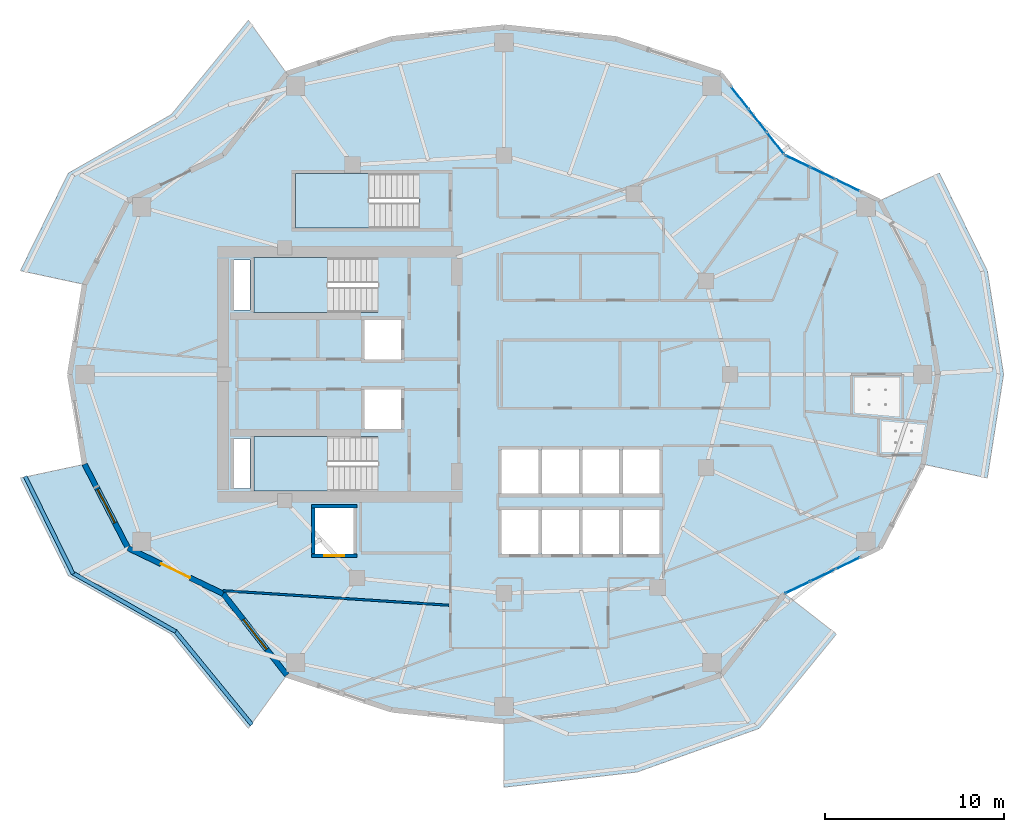
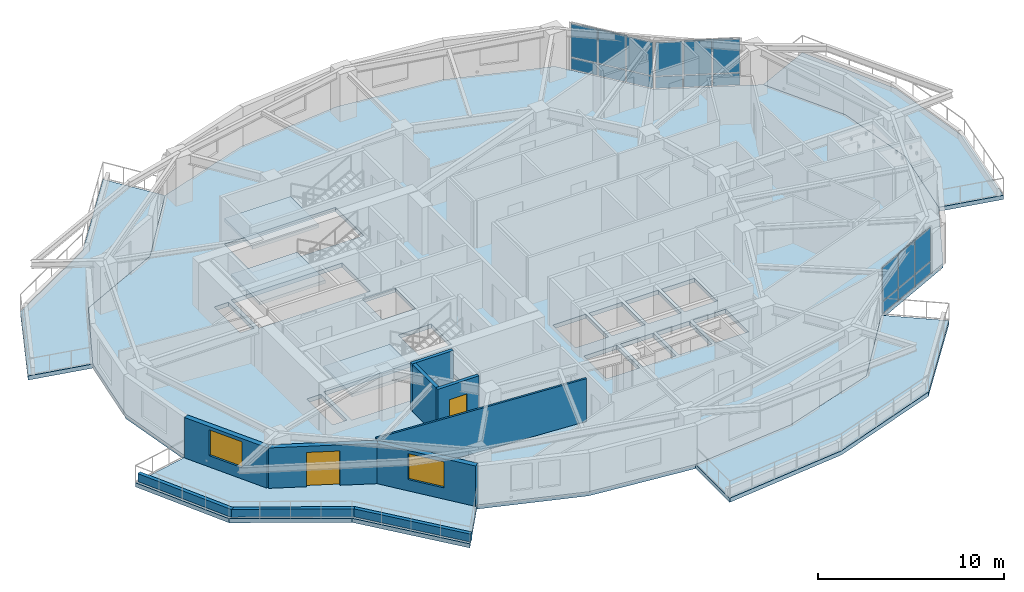
# One storey, part 5 of 15: 21 plates, 10 walls, 8 slabs, 2 doors, 2 windows, 4 openings, 6 elements without a shape of their own.
"""IFC4 building model written with IfcOpenShell, lengths in metres."""

from ifc_helpers import new_model, si_unit, direction, frame, frame_2d, origin, origin_2d, place, context, subcontext, project, spatial, polyline, rectangle, outline, extrude, material, layer, layer_set, type_object, element, fill, aggregate, save


model = new_model("IFC4")

# Units and contexts
model_context = context("Model", 3, precision=1e-05, world=origin(), true_north=direction((0.0, 1.0)))
body_context = subcontext(model_context, "Body", "Model", "MODEL_VIEW")
ifc_project = project(units=[si_unit("LENGTHUNIT", "METRE"), si_unit("AREAUNIT", "SQUARE_METRE"), si_unit("VOLUMEUNIT", "CUBIC_METRE"), si_unit("PLANEANGLEUNIT", "RADIAN"), si_unit("MASSUNIT", "GRAM", prefix="KILO")], contexts=[model_context])

# Site, building, storey
site_placement = place(None, origin())
site = spatial("IfcSite", under=ifc_project, at=site_placement, CompositionType="ELEMENT")
building_placement = place(site_placement, origin())
building = spatial("IfcBuilding", under=site, at=building_placement, Name="Kolvaren Gate Tower and Convention Centre", CompositionType="ELEMENT")
storey_placement = place(building_placement, frame((0.0, 0.0, 129.10009765625)))
storey = spatial("IfcBuildingStorey", under=building, at=storey_placement, Name="L32", CompositionType="ELEMENT", Elevation=129.10009765625)

# Plates
ifc_material_1 = material(Name="Perforated Anodized Bronze Aluminium Sheet 6 mm", Category="aluminium")
ifc_layer_1 = layer(ifc_material_1, 0.011962890625)
ifc_layer_set_1 = layer_set([ifc_layer_1], Name="Perforated Anodized Bronze Aluminium Sheet 6 mm")
plate_type_1 = type_object("IfcPlateType", Name="ARCH-PL-SCREEN-PERF", PredefinedType="SHEET", material=ifc_layer_set_1)
for number, where, z_axis, x_axis, name in (
    (1, (48.42041015625, 37.948974609375, 2.2900390625), (0.0, 0.0, 1.0), (0.901362925045, -0.433064518696, 0.0), "Tower L32 Perforated Bronze Solar Screen SS-02"),
    (2, (43.993896484375, 41.490234375, 2.2900390625), (0.0, 0.0, 1.0), (0.616424499081, -0.787414018756, 0.0), "Tower L32 Perforated Bronze Solar Screen SS-03"),
    (3, (48.42041015625, 16.051025390625, 2.2900390625), (0.0, 0.0, 1.0), (0.901362925045, 0.433064518696, 0.0), "Tower L32 Perforated Bronze Solar Screen SS-21"),
):
    element("IfcPlate", number, at=place(storey_placement, frame(where, z_axis=z_axis, x_axis=x_axis)), inside=storey, type_object=plate_type_1, Name=name, PredefinedType="SHEET", context=body_context, shape_type="SweptSolid", body=[
        extrude(rectangle(XDim=2.60009765625, YDim=0.011962890625, at=origin_2d()), origin(), (0.0, 0.0, 1.0), 0.840087890625),
    ])

# Curtain wall, plates
ifc_material_2 = material(Name="Anodized Architectural Aluminium Alloy 6063-T6", Category="aluminium")
ifc_layer_2 = layer(ifc_material_2, 0.159912109375)
ifc_layer_set_2 = layer_set([ifc_layer_2], Name="Anodized Architectural Aluminium Alloy 6063-T6")
curtain_wall_type = type_object("IfcCurtainWallType", Name="CW-HTL-UNIT", PredefinedType="NOTDEFINED", material=ifc_layer_set_2)
curtain_wall_1_placement = place(storey_placement, origin())
curtain_wall_1 = element("IfcCurtainWall", 4, at=curtain_wall_1_placement, inside=storey, type_object=curtain_wall_type, Name="Tower L32 Unitised Curtain Wall CW-HTL-UNIT Bay 02", PredefinedType="NOTDEFINED")
ifc_material_3 = material(Name="Low-E Triple Insulated Glazing Unit 44 mm", Category="glass")
ifc_layer_3 = layer(ifc_material_3, 0.0439453125)
ifc_layer_set_3 = layer_set([ifc_layer_3], Name="Low-E Triple Insulated Glazing Unit 44 mm")
plate_type_2 = type_object("IfcPlateType", Name="CW-PL-IGU-44", PredefinedType="CURTAIN_PANEL", material=ifc_layer_set_3)
plate_1_placement = place(storey_placement, frame((46.48974609375, 38.87646484375, 0.88232421875), z_axis=(0.0, 0.0, 1.0), x_axis=(0.901360043967, -0.433070515205, 0.0)))
plate_1 = element("IfcPlate", 5, at=plate_1_placement, type_object=plate_type_2, Name="CW-03 panel 1.2", PredefinedType="CURTAIN_PANEL", context=body_context, shape_type="SweptSolid", body=[
    extrude(rectangle(XDim=1.4697265625, YDim=0.0439453125, at=origin_2d()), origin(), (0.0, 0.0, 1.0), 2.1826171875),
])
plate_2_placement = place(storey_placement, frame((47.8876953125, 38.204833984375, 0.88232421875), z_axis=(0.0, 0.0, 1.0), x_axis=(0.901360043967, -0.433070515205, 0.0)))
plate_2 = element("IfcPlate", 6, at=plate_2_placement, type_object=plate_type_2, Name="CW-03 panel 2.2", PredefinedType="CURTAIN_PANEL", context=body_context, shape_type="SweptSolid", body=[
    extrude(rectangle(XDim=1.50244140625, YDim=0.0439453125, at=origin_2d()), origin(), (0.0, 0.0, 1.0), 2.1826171875),
])
plate_3_placement = place(storey_placement, frame((49.285888671875, 37.533203125, 0.88232421875), z_axis=(0.0, 0.0, 1.0), x_axis=(0.901360043967, -0.433070515205, 0.0)))
plate_3 = element("IfcPlate", 7, at=plate_3_placement, type_object=plate_type_2, Name="CW-03 panel 3.2", PredefinedType="CURTAIN_PANEL", context=body_context, shape_type="SweptSolid", body=[
    extrude(rectangle(XDim=1.4697265625, YDim=0.0439453125, at=origin_2d()), origin(), (0.0, 0.0, 1.0), 2.1826171875),
])

curtain_wall_2_placement = place(storey_placement, origin())
curtain_wall_2 = element("IfcCurtainWall", 8, at=curtain_wall_2_placement, inside=storey, type_object=curtain_wall_type, Name="Tower L32 Unitised Curtain Wall CW-HTL-UNIT Bay 03", PredefinedType="NOTDEFINED")
plate_4_placement = place(storey_placement, frame((43.2705078125, 42.414306640625, 0.88232421875), z_axis=(0.0, 0.0, 1.0), x_axis=(0.616425876414, -0.787412940513, 0.0)))
plate_4 = element("IfcPlate", 9, at=plate_4_placement, type_object=plate_type_2, Name="CW-03 panel 1.2", PredefinedType="CURTAIN_PANEL", context=body_context, shape_type="SweptSolid", body=[
    extrude(rectangle(XDim=1.530029296875, YDim=0.0439453125, at=origin_2d()), origin(), (0.0, 0.0, 1.0), 2.1826171875),
])
plate_5_placement = place(storey_placement, frame((44.263671875, 41.1455078125, 0.88232421875), z_axis=(0.0, 0.0, 1.0), x_axis=(0.616425876414, -0.787412940513, 0.0)))
plate_5 = element("IfcPlate", 10, at=plate_5_placement, type_object=plate_type_2, Name="CW-03 panel 2.2", PredefinedType="CURTAIN_PANEL", context=body_context, shape_type="SweptSolid", body=[
    extrude(rectangle(XDim=1.5625, YDim=0.0439453125, at=origin_2d()), origin(), (0.0, 0.0, 1.0), 2.1826171875),
])
plate_6_placement = place(storey_placement, frame((45.257080078125, 39.876708984375, 0.88232421875), z_axis=(0.0, 0.0, 1.0), x_axis=(0.616425876414, -0.787412940513, 0.0)))
plate_6 = element("IfcPlate", 11, at=plate_6_placement, type_object=plate_type_2, Name="CW-03 panel 3.2", PredefinedType="CURTAIN_PANEL", context=body_context, shape_type="SweptSolid", body=[
    extrude(rectangle(XDim=1.530029296875, YDim=0.0439453125, at=origin_2d()), origin(), (0.0, 0.0, 1.0), 2.1826171875),
])

curtain_wall_3_placement = place(storey_placement, origin())
curtain_wall_3 = element("IfcCurtainWall", 12, at=curtain_wall_3_placement, inside=storey, type_object=curtain_wall_type, Name="Tower L32 Unitised Curtain Wall CW-HTL-UNIT Bay 21", PredefinedType="NOTDEFINED")
plate_7_placement = place(storey_placement, frame((46.48974609375, 15.12353515625, 0.88232421875), z_axis=(0.0, 0.0, 1.0), x_axis=(0.901360043967, 0.433070515205, 0.0)))
plate_7 = element("IfcPlate", 13, at=plate_7_placement, type_object=plate_type_2, Name="CW-03 panel 1.2", PredefinedType="CURTAIN_PANEL", context=body_context, shape_type="SweptSolid", body=[
    extrude(rectangle(XDim=1.4697265625, YDim=0.0439453125, at=origin_2d()), origin(), (0.0, 0.0, 1.0), 2.1826171875),
])
plate_8_placement = place(storey_placement, frame((47.8876953125, 15.795166015625, 0.88232421875), z_axis=(0.0, 0.0, 1.0), x_axis=(0.901360043967, 0.433070515205, 0.0)))
plate_8 = element("IfcPlate", 14, at=plate_8_placement, type_object=plate_type_2, Name="CW-03 panel 2.2", PredefinedType="CURTAIN_PANEL", context=body_context, shape_type="SweptSolid", body=[
    extrude(rectangle(XDim=1.50244140625, YDim=0.0439453125, at=origin_2d()), origin(), (0.0, 0.0, 1.0), 2.1826171875),
])
plate_9_placement = place(storey_placement, frame((49.285888671875, 16.466796875, 0.88232421875), z_axis=(0.0, 0.0, 1.0), x_axis=(0.901360043967, 0.433070515205, 0.0)))
plate_9 = element("IfcPlate", 15, at=plate_9_placement, type_object=plate_type_2, Name="CW-03 panel 3.2", PredefinedType="CURTAIN_PANEL", context=body_context, shape_type="SweptSolid", body=[
    extrude(rectangle(XDim=1.4697265625, YDim=0.0439453125, at=origin_2d()), origin(), (0.0, 0.0, 1.0), 2.1826171875),
])

# Plate
ifc_material_4 = material(Name="Solar-Control Laminated Curtain Glazing 36 mm", Category="glass")
ifc_layer_4 = layer(ifc_material_4, 0.035888671875)
ifc_layer_set_4 = layer_set([ifc_layer_4], Name="Solar-Control Laminated Curtain Glazing 36 mm")
plate_type_3 = type_object("IfcPlateType", Name="CW-PL-SPAN-36", PredefinedType="CURTAIN_PANEL", material=ifc_layer_set_4)
plate_10_placement = place(storey_placement, frame((46.48974609375, 38.87646484375, 0.06494140625), z_axis=(0.0, 0.0, 1.0), x_axis=(0.901360043967, -0.433070515205, 0.0)))
plate_10 = element("IfcPlate", 16, at=plate_10_placement, type_object=plate_type_3, Name="CW-03 panel 1.1", PredefinedType="CURTAIN_PANEL", context=body_context, shape_type="SweptSolid", body=[
    extrude(rectangle(XDim=1.4697265625, YDim=0.035888671875, at=origin_2d()), origin(), (0.0, 0.0, 1.0), 0.75244140625),
])

plate_11_placement = place(storey_placement, frame((47.8876953125, 38.204833984375, 0.06494140625), z_axis=(0.0, 0.0, 1.0), x_axis=(0.901360043967, -0.433070515205, 0.0)))
plate_11 = element("IfcPlate", 17, at=plate_11_placement, type_object=plate_type_3, Name="CW-03 panel 2.1", PredefinedType="CURTAIN_PANEL", context=body_context, shape_type="SweptSolid", body=[
    extrude(rectangle(XDim=1.50244140625, YDim=0.035888671875, at=origin_2d()), origin(), (0.0, 0.0, 1.0), 0.75244140625),
])

plate_12_placement = place(storey_placement, frame((49.285888671875, 37.533203125, 0.06494140625), z_axis=(0.0, 0.0, 1.0), x_axis=(0.901360043967, -0.433070515205, 0.0)))
plate_12 = element("IfcPlate", 18, at=plate_12_placement, type_object=plate_type_3, Name="CW-03 panel 3.1", PredefinedType="CURTAIN_PANEL", context=body_context, shape_type="SweptSolid", body=[
    extrude(rectangle(XDim=1.4697265625, YDim=0.035888671875, at=origin_2d()), origin(), (0.0, 0.0, 1.0), 0.75244140625),
])

aggregate(curtain_wall_1, [plate_10, plate_1, plate_11, plate_2, plate_12, plate_3])

plate_13_placement = place(storey_placement, frame((43.2705078125, 42.414306640625, 0.06494140625), z_axis=(0.0, 0.0, 1.0), x_axis=(0.616425876414, -0.787412940513, 0.0)))
plate_13 = element("IfcPlate", 19, at=plate_13_placement, type_object=plate_type_3, Name="CW-03 panel 1.1", PredefinedType="CURTAIN_PANEL", context=body_context, shape_type="SweptSolid", body=[
    extrude(rectangle(XDim=1.530029296875, YDim=0.035888671875, at=origin_2d()), origin(), (0.0, 0.0, 1.0), 0.75244140625),
])

plate_14_placement = place(storey_placement, frame((44.263671875, 41.1455078125, 0.06494140625), z_axis=(0.0, 0.0, 1.0), x_axis=(0.616425876414, -0.787412940513, 0.0)))
plate_14 = element("IfcPlate", 20, at=plate_14_placement, type_object=plate_type_3, Name="CW-03 panel 2.1", PredefinedType="CURTAIN_PANEL", context=body_context, shape_type="SweptSolid", body=[
    extrude(rectangle(XDim=1.5625, YDim=0.035888671875, at=origin_2d()), origin(), (0.0, 0.0, 1.0), 0.75244140625),
])

plate_15_placement = place(storey_placement, frame((45.257080078125, 39.876708984375, 0.06494140625), z_axis=(0.0, 0.0, 1.0), x_axis=(0.616425876414, -0.787412940513, 0.0)))
plate_15 = element("IfcPlate", 21, at=plate_15_placement, type_object=plate_type_3, Name="CW-03 panel 3.1", PredefinedType="CURTAIN_PANEL", context=body_context, shape_type="SweptSolid", body=[
    extrude(rectangle(XDim=1.530029296875, YDim=0.035888671875, at=origin_2d()), origin(), (0.0, 0.0, 1.0), 0.75244140625),
])

aggregate(curtain_wall_2, [plate_13, plate_4, plate_14, plate_5, plate_15, plate_6])

plate_16_placement = place(storey_placement, frame((46.48974609375, 15.12353515625, 0.06494140625), z_axis=(0.0, 0.0, 1.0), x_axis=(0.901360043967, 0.433070515205, 0.0)))
plate_16 = element("IfcPlate", 22, at=plate_16_placement, type_object=plate_type_3, Name="CW-03 panel 1.1", PredefinedType="CURTAIN_PANEL", context=body_context, shape_type="SweptSolid", body=[
    extrude(rectangle(XDim=1.4697265625, YDim=0.035888671875, at=origin_2d()), origin(), (0.0, 0.0, 1.0), 0.75244140625),
])

plate_17_placement = place(storey_placement, frame((47.8876953125, 15.795166015625, 0.06494140625), z_axis=(0.0, 0.0, 1.0), x_axis=(0.901360043967, 0.433070515205, 0.0)))
plate_17 = element("IfcPlate", 23, at=plate_17_placement, type_object=plate_type_3, Name="CW-03 panel 2.1", PredefinedType="CURTAIN_PANEL", context=body_context, shape_type="SweptSolid", body=[
    extrude(rectangle(XDim=1.50244140625, YDim=0.035888671875, at=origin_2d()), origin(), (0.0, 0.0, 1.0), 0.75244140625),
])

plate_18_placement = place(storey_placement, frame((49.285888671875, 16.466796875, 0.06494140625), z_axis=(0.0, 0.0, 1.0), x_axis=(0.901360043967, 0.433070515205, 0.0)))
plate_18 = element("IfcPlate", 24, at=plate_18_placement, type_object=plate_type_3, Name="CW-03 panel 3.1", PredefinedType="CURTAIN_PANEL", context=body_context, shape_type="SweptSolid", body=[
    extrude(rectangle(XDim=1.4697265625, YDim=0.035888671875, at=origin_2d()), origin(), (0.0, 0.0, 1.0), 0.75244140625),
])

aggregate(curtain_wall_3, [plate_16, plate_7, plate_17, plate_8, plate_18, plate_9])

# Slabs
ifc_material_5 = material(Name="Concrete C50/60", Category="concrete")
ifc_layer_5 = layer(ifc_material_5, 0.27001953125)
ifc_layer_set_5 = layer_set([ifc_layer_5], Name="Concrete C50/60")
slab_type_1 = type_object("IfcSlabType", Name="STR-SL-BALC-270", PredefinedType="FLOOR", material=ifc_layer_set_5)
slab_1_placement = place(storey_placement, frame((0.0, 0.0, -0.27001953125)))
element("IfcSlab", 25, at=slab_1_placement, inside=storey, type_object=slab_type_1, Name="Tower L32 Planted Balcony Terrace Slab 1 (West)", PredefinedType="FLOOR", context=body_context, shape_type="SweptSolid", body=[
    extrude(outline(polyline([(18.03125, 43.757568359375), (14.481201171875, 39.222900390625), (9.177978515625, 36.675048828125), (6.76171875, 32.008056640625), (3.18310546875, 32.775146484375), (5.855224609375, 38.209716796875), (11.597412109375, 41.476318359375), (15.889404296875, 46.725341796875), (18.03125, 43.757568359375)])), origin(), (0.0, 0.0, 1.0), 0.27001953125),
])
slab_2_placement = place(storey_placement, frame((0.0, 0.0, -0.27001953125)))
element("IfcSlab", 26, at=slab_2_placement, inside=storey, type_object=slab_type_1, Name="Tower L32 Planted Balcony Terrace Slab 2 (West)", PredefinedType="FLOOR", context=body_context, shape_type="SweptSolid", body=[
    extrude(outline(polyline([(6.76171875, 21.991943359375), (9.177978515625, 17.324951171875), (14.481201171875, 14.777099609375), (18.03125, 10.242431640625), (15.889404296875, 7.274658203125), (11.597412109375, 12.523681640625), (5.855224609375, 15.790283203125), (3.18310546875, 21.224853515625), (6.76171875, 21.991943359375)])), origin(), (0.0, 0.0, 1.0), 0.27001953125),
])
slab_3_placement = place(storey_placement, frame((0.0, 0.0, -0.27001953125)))
element("IfcSlab", 27, at=slab_3_placement, inside=storey, type_object=slab_type_1, Name="Tower L32 Planted Balcony Terrace Slab 3 (South)", PredefinedType="FLOOR", context=body_context, shape_type="SweptSolid", body=[
    extrude(outline(polyline([(30.125, 7.64990234375), (36.38525390625, 8.309326171875), (42.21875, 10.242431640625), (45.768798828125, 14.777099609375), (48.652587890625, 12.523681640625), (44.360595703125, 7.274658203125), (37.547607421875, 4.8388671875), (30.125, 3.989990234375), (30.125, 7.64990234375)])), origin(), (0.0, 0.0, 1.0), 0.27001953125),
])
slab_4_placement = place(storey_placement, frame((0.0, 0.0, -0.27001953125)))
element("IfcSlab", 28, at=slab_4_placement, inside=storey, type_object=slab_type_1, Name="Tower L32 Planted Balcony Terrace Slab 4 (East)", PredefinedType="FLOOR", context=body_context, shape_type="SweptSolid", body=[
    extrude(outline(polyline([(53.48828125, 21.991943359375), (54.3125, 27.0), (53.48828125, 32.008056640625), (51.072021484375, 36.675048828125), (54.394775390625, 38.209716796875), (57.06689453125, 32.775146484375), (57.972412109375, 27.0), (57.06689453125, 21.224853515625), (53.48828125, 21.991943359375)])), origin(), (0.0, 0.0, 1.0), 0.27001953125),
])
ifc_material_6 = material(Name="Concrete C40/50", Category="concrete")
ifc_layer_6 = layer(ifc_material_6, 0.27001953125)
ifc_layer_set_6 = layer_set([ifc_layer_6], Name="Concrete C40/50")
slab_type_2 = type_object("IfcSlabType", Name="STR-SL-FLR-270", PredefinedType="FLOOR", material=ifc_layer_set_6)
slab_5_placement = place(storey_placement, frame((0.0, 0.0, -0.27001953125)))
element("IfcSlab", 29, at=slab_5_placement, inside=storey, type_object=slab_type_2, Name="Tower L32 Structural Floor Slab", PredefinedType="FLOOR", context=body_context, shape_type="SweptSolid", body=[
    extrude(outline(polyline([(54.3125, 27.0), (53.48828125, 32.008056640625), (51.072021484375, 36.675048828125), (45.768798828125, 39.222900390625), (42.21875, 43.757568359375), (36.38525390625, 45.690673828125), (30.125, 46.35009765625), (23.86474609375, 45.690673828125), (18.03125, 43.757568359375), (14.481201171875, 39.222900390625), (9.177978515625, 36.675048828125), (6.76171875, 32.008056640625), (5.9375, 27.0), (6.76171875, 21.991943359375), (9.177978515625, 17.324951171875), (14.481201171875, 14.777099609375), (18.03125, 10.242431640625), (23.86474609375, 8.309326171875), (30.125, 7.64990234375), (36.38525390625, 8.309326171875), (42.21875, 10.242431640625), (45.768798828125, 14.777099609375), (51.072021484375, 17.324951171875), (53.48828125, 21.991943359375), (54.3125, 27.0)]), holes=[polyline([(36.75, 17.0), (36.75, 19.449951171875), (38.800048828125, 19.449951171875), (38.800048828125, 17.0), (36.75, 17.0)]), polyline([(36.75, 20.35009765625), (36.75, 22.800048828125), (38.800048828125, 22.800048828125), (38.800048828125, 20.35009765625), (36.75, 20.35009765625)]), polyline([(34.5, 17.0), (34.5, 19.449951171875), (36.550048828125, 19.449951171875), (36.550048828125, 17.0), (34.5, 17.0)]), polyline([(34.5, 20.35009765625), (34.5, 22.800048828125), (36.550048828125, 22.800048828125), (36.550048828125, 20.35009765625), (34.5, 20.35009765625)]), polyline([(32.25, 17.0), (32.25, 19.449951171875), (34.300048828125, 19.449951171875), (34.300048828125, 17.0), (32.25, 17.0)]), polyline([(32.25, 20.35009765625), (32.25, 22.800048828125), (34.300048828125, 22.800048828125), (34.300048828125, 20.35009765625), (32.25, 20.35009765625)]), polyline([(30.0, 17.0), (30.0, 19.449951171875), (32.050048828125, 19.449951171875), (32.050048828125, 17.0), (30.0, 17.0)]), polyline([(30.0, 20.35009765625), (30.0, 22.800048828125), (32.050048828125, 22.800048828125), (32.050048828125, 20.35009765625), (30.0, 20.35009765625)]), polyline([(25.39990234375, 38.199951171875), (25.39990234375, 35.159912109375), (18.5, 35.159912109375), (18.5, 38.199951171875), (25.39990234375, 38.199951171875)]), polyline([(22.35009765625, 23.9599609375), (22.35009765625, 26.159912109375), (24.39990234375, 26.159912109375), (24.39990234375, 23.9599609375), (22.35009765625, 23.9599609375)]), polyline([(22.35009765625, 27.840087890625), (22.35009765625, 30.0400390625), (24.39990234375, 30.0400390625), (24.39990234375, 27.840087890625), (22.35009765625, 27.840087890625)]), polyline([(23.10009765625, 23.5400390625), (23.10009765625, 20.5), (16.199951171875, 20.5), (16.199951171875, 23.5400390625), (23.10009765625, 23.5400390625)]), polyline([(23.10009765625, 33.5), (23.10009765625, 30.4599609375), (16.199951171875, 30.4599609375), (16.199951171875, 33.5), (23.10009765625, 33.5)]), polyline([(19.60009765625, 17.0), (19.60009765625, 19.550048828125), (21.75, 19.550048828125), (21.75, 17.0), (19.60009765625, 17.0)]), polyline([(15.080078125, 20.6298828125), (15.080078125, 23.419921875), (15.969970703125, 23.419921875), (15.969970703125, 20.6298828125), (15.080078125, 20.6298828125)]), polyline([(15.080078125, 30.580078125), (15.080078125, 33.3701171875), (15.969970703125, 33.3701171875), (15.969970703125, 30.580078125), (15.080078125, 30.580078125)])]), origin(), (0.0, 0.0, 1.0), 0.27001953125),
])

# Stair, slab
stair_type = type_object("IfcStairType", Name="STR-STAIR-CORE", PredefinedType="HALF_TURN_STAIR", material=ifc_material_5)
stair_1_placement = place(storey_placement, origin())
stair_1 = element("IfcStair", 30, at=stair_1_placement, inside=storey, type_object=stair_type, Name="L32 Tower North Exit Stair ST-T1", PredefinedType="HALF_TURN_STAIR")
ifc_layer_7 = layer(ifc_material_5, 0.199951171875)
ifc_layer_set_7 = layer_set([ifc_layer_7], Name="Concrete C50/60")
slab_type_3 = type_object("IfcSlabType", Name="STR-SL-LAND-200", PredefinedType="LANDING", material=ifc_layer_set_7)
slab_6_placement = place(storey_placement, frame((0.0, 0.0, 1.5)))
slab_6 = element("IfcSlab", 31, at=slab_6_placement, type_object=slab_type_3, Name="ST-T1 landing 1", PredefinedType="LANDING", context=body_context, shape_type="SweptSolid", body=[
    extrude(outline(polyline([(20.31005859375, 33.5), (16.199951171875, 33.5), (16.199951171875, 30.4599609375), (20.31005859375, 30.4599609375), (20.31005859375, 33.5)])), origin(), (0.0, 0.0, 1.0), 0.199951171875),
])
aggregate(stair_1, [slab_6])

stair_2_placement = place(storey_placement, origin())
stair_2 = element("IfcStair", 32, at=stair_2_placement, inside=storey, type_object=stair_type, Name="L32 Tower South Exit Stair ST-T2", PredefinedType="HALF_TURN_STAIR")
slab_7_placement = place(storey_placement, frame((0.0, 0.0, 1.5)))
slab_7 = element("IfcSlab", 33, at=slab_7_placement, type_object=slab_type_3, Name="ST-T2 landing 1", PredefinedType="LANDING", context=body_context, shape_type="SweptSolid", body=[
    extrude(outline(polyline([(20.31005859375, 23.5400390625), (16.199951171875, 23.5400390625), (16.199951171875, 20.5), (20.31005859375, 20.5), (20.31005859375, 23.5400390625)])), origin(), (0.0, 0.0, 1.0), 0.199951171875),
])
aggregate(stair_2, [slab_7])

stair_3_placement = place(storey_placement, origin())
stair_3 = element("IfcStair", 34, at=stair_3_placement, inside=storey, type_object=stair_type, Name="L32 Tower Mid-Zone Exit Stair ST-T3", PredefinedType="HALF_TURN_STAIR")
slab_8_placement = place(storey_placement, frame((0.0, 0.0, 1.5)))
slab_8 = element("IfcSlab", 35, at=slab_8_placement, type_object=slab_type_3, Name="ST-T3 landing 1", PredefinedType="LANDING", context=body_context, shape_type="SweptSolid", body=[
    extrude(outline(polyline([(22.610107421875, 38.199951171875), (18.5, 38.199951171875), (18.5, 35.159912109375), (22.610107421875, 35.159912109375), (22.610107421875, 38.199951171875)])), origin(), (0.0, 0.0, 1.0), 0.199951171875),
])
aggregate(stair_3, [slab_8])

# Walls
ifc_material_7 = material(Name="Fire-Rated Acoustic Gypsum Stud Partition", Category="gypsum")
ifc_layer_8 = layer(ifc_material_7, 0.1201171875)
ifc_layer_set_8 = layer_set([ifc_layer_8], Name="Fire-Rated Acoustic Gypsum Stud Partition")
wall_type_1 = type_object("IfcWallType", Name="ARCH-WL-PART-120", PredefinedType="PARTITIONING", material=ifc_layer_set_8)
wall_1_placement = place(storey_placement, frame((14.479248046875, 14.946533203125, 0.0), z_axis=(0.0, 0.0, 1.0), x_axis=(0.997930277746, -0.064305215633, 0.0)))
element("IfcWall", 36, at=wall_1_placement, inside=storey, type_object=wall_type_1, Name="Interior Partition WL-L32-INT-050", PredefinedType="PARTITIONING", context=body_context, shape_type="SweptSolid", body=[
    extrude(rectangle(XDim=12.619873046875, YDim=0.1201171875, at=frame_2d((6.31005859375, 0.0))), origin(), (0.0, 0.0, 1.0), 2.81201171875),
])
ifc_material_8 = material(Name="Piedmont Cream Honed Limestone Cladding", Category="masonry")
ifc_layer_9 = layer(ifc_material_8, 0.219970703125)
ifc_layer_set_9 = layer_set([ifc_layer_9], Name="Piedmont Cream Honed Limestone Cladding")
wall_type_2 = type_object("IfcWallType", Name="ARCH-WL-PLANTER-220", PredefinedType="PARAPET", material=ifc_layer_set_9)
wall_2_placement = place(storey_placement, frame((3.44873046875, 21.31298828125, 0.0), z_axis=(0.0, 0.0, 1.0), x_axis=(0.441269631716, -0.897374566235, 0.0)))
element("IfcWall", 37, at=wall_2_placement, inside=storey, type_object=wall_type_2, Name="Vertical-Forest Balcony Stone Planter Kerb PK-L32-2.1", PredefinedType="PARAPET", context=body_context, shape_type="SweptSolid", body=[
    extrude(rectangle(XDim=6.05615234375, YDim=0.219970703125, at=frame_2d((3.028076171875, 0.0))), origin(), (0.0, 0.0, 1.0), 0.52001953125),
])
wall_3_placement = place(storey_placement, frame((6.095458984375, 15.934326171875, 0.0), z_axis=(0.0, 0.0, 1.0), x_axis=(0.869187658335, -0.494482370361, 0.0)))
element("IfcWall", 38, at=wall_3_placement, inside=storey, type_object=wall_type_2, Name="Vertical-Forest Balcony Stone Planter Kerb PK-L32-2.2", PredefinedType="PARAPET", context=body_context, shape_type="SweptSolid", body=[
    extrude(rectangle(XDim=6.606201171875, YDim=0.219970703125, at=frame_2d((3.30322265625, 0.0))), origin(), (0.0, 0.0, 1.0), 0.52001953125),
])
wall_4_placement = place(storey_placement, frame((11.791015625, 12.725830078125, 0.0), z_axis=(0.0, 0.0, 1.0), x_axis=(0.633002467947, -0.77414977593, 0.0)))
element("IfcWall", 39, at=wall_4_placement, inside=storey, type_object=wall_type_2, Name="Vertical-Forest Balcony Stone Planter Kerb PK-L32-2.3", PredefinedType="PARAPET", context=body_context, shape_type="SweptSolid", body=[
    extrude(rectangle(XDim=6.7802734375, YDim=0.219970703125, at=frame_2d((3.39013671875, 0.0))), origin(), (0.0, 0.0, 1.0), 0.52001953125),
])
ifc_material_9 = material(Name="Autoclaved Aerated Masonry Blockwork Class 4 (4.0 MPa)", Category="masonry")
ifc_layer_10 = layer(ifc_material_9, 0.199951171875)
ifc_layer_set_10 = layer_set([ifc_layer_10], Name="Autoclaved Aerated Masonry Blockwork Class 4 (4.0 MPa)")
wall_type_3 = type_object("IfcWallType", Name="ARCH-WL-SHAFT-200", PredefinedType="SOLIDWALL", material=ifc_layer_set_10)
wall_5_placement = place(storey_placement, frame((19.39990234375, 19.64990234375, 0.0), z_axis=(0.0, 0.0, 1.0), x_axis=(1.0, 0.0, 0.0)))
element("IfcWall", 40, at=wall_5_placement, inside=storey, type_object=wall_type_3, Name="Elevator SV-01 L32 Fire Shaft Wall N", PredefinedType="SOLIDWALL", context=body_context, shape_type="SweptSolid", body=[
    extrude(rectangle(XDim=2.550048828125, YDim=0.199951171875, at=frame_2d((1.27490234375, 0.0))), origin(), (0.0, 0.0, 1.0), 3.1298828125),
])

# Wall, opening, door
wall_6_placement = place(storey_placement, frame((19.39990234375, 16.89990234375, 0.0), z_axis=(0.0, 0.0, 1.0), x_axis=(1.0, 0.0, 0.0)))
wall_6 = element("IfcWall", 41, at=wall_6_placement, inside=storey, type_object=wall_type_3, Name="Elevator SV-01 L32 Fire Shaft Wall S", PredefinedType="SOLIDWALL", context=body_context, shape_type="SweptSolid", body=[
    extrude(rectangle(XDim=2.550048828125, YDim=0.199951171875, at=frame_2d((1.27490234375, 0.0))), origin(), (0.0, 0.0, 1.0), 3.1298828125),
])
opening_1_placement = place(wall_6_placement, frame((0.72509765625, 0.0, 0.0)))
opening_1 = element("IfcOpeningElement", 42, at=opening_1_placement, cuts=wall_6, Name="Opening LD", PredefinedType="OPENING", context=body_context, shape_type="SweptSolid", body=[
    extrude(rectangle(XDim=1.10009765625, YDim=2.199951171875, at=frame_2d((0.550048828125, 1.10009765625))), frame((0.0, 0.10986328125, 0.0), z_axis=(0.0, -1.0, 0.0), x_axis=(1.0, 0.0, 0.0)), (0.0, 0.0, 1.0), 0.219970703125),
])
ifc_material_10 = material(Name="Brushed Stainless Steel Grade 316L", Category="steel")
door_type_1 = type_object("IfcDoorType", Name="ARCH-DR-LIFT-1100", OperationType="SLIDING_TO_LEFT", PredefinedType="DOOR", material=ifc_material_10)
door_1_placement = place(opening_1_placement, origin())
door_1 = element("IfcDoor", 43, at=door_1_placement, inside=storey, type_object=door_type_1, Name="Elevator SV-01 L32 Sliding Landing Door", OperationType="SLIDING_TO_LEFT", OverallHeight=2.199951171875, OverallWidth=1.10009765625, PredefinedType="DOOR", context=body_context, shape_type="SweptSolid", body=[
    extrude(rectangle(XDim=1.10009765625, YDim=2.199951171875, at=frame_2d((0.550048828125, 1.10009765625))), frame((0.0, 0.02490234375, 0.0), z_axis=(0.0, -1.0, 0.0), x_axis=(1.0, 0.0, 0.0)), (0.0, 0.0, 1.0), 0.050048828125),
])
fill(opening_1, door_1)

# Wall
wall_7_placement = place(storey_placement, frame((19.5, 17.010009765625, 0.0), z_axis=(0.0, 0.0, 1.0), x_axis=(0.0, 1.0, 0.0)))
element("IfcWall", 44, at=wall_7_placement, inside=storey, type_object=wall_type_3, Name="Elevator SV-01 L32 Fire Shaft Wall W", PredefinedType="SOLIDWALL", context=body_context, shape_type="SweptSolid", body=[
    extrude(rectangle(XDim=2.530029296875, YDim=0.199951171875, at=frame_2d((1.26513671875, 0.0))), origin(), (0.0, 0.0, 1.0), 3.1298828125),
])

# Wall, opening, window
ifc_layer_11 = layer(ifc_material_8, 0.300048828125)
ifc_layer_set_11 = layer_set([ifc_layer_11], Name="Piedmont Cream Honed Limestone Cladding")
wall_type_4 = type_object("IfcWallType", Name="ARCH-WL-STONE-300", PredefinedType="SOLIDWALL", material=ifc_layer_set_11)
wall_8_placement = place(storey_placement, frame((6.76171875, 21.991943359375, 0.0), z_axis=(0.0, 0.0, 1.0), x_axis=(0.459767899643, -0.888039119892, 0.0)))
wall_8 = element("IfcWall", 45, at=wall_8_placement, inside=storey, type_object=wall_type_4, Name="Tower L32 Honed Stone Spandrel Wall EW-13", PredefinedType="SOLIDWALL", context=body_context, shape_type="SweptSolid", body=[
    extrude(rectangle(XDim=5.25537109375, YDim=0.300048828125, at=frame_2d((2.627685546875, 0.0))), origin(), (0.0, 0.0, 1.0), 2.65283203125),
])
opening_2_placement = place(wall_8_placement, frame((1.577880859375, 0.0, 0.739990234375)))
opening_2 = element("IfcOpeningElement", 46, at=opening_2_placement, cuts=wall_8, Name="Opening W-02", PredefinedType="OPENING", context=body_context, shape_type="SweptSolid", body=[
    extrude(rectangle(XDim=2.10009765625, YDim=1.699951171875, at=frame_2d((1.050048828125, 0.85009765625))), frame((0.0, 0.159912109375, 0.0), z_axis=(0.0, -1.0, 0.0), x_axis=(1.0, 0.0, 0.0)), (0.0, 0.0, 1.0), 0.320068359375),
])
window_type = type_object("IfcWindowType", Name="ARCH-WN-HTL-2100", PartitioningType="SINGLE_PANEL", PredefinedType="WINDOW", material=ifc_material_3)
window_1_placement = place(opening_2_placement, origin())
window_1 = element("IfcWindow", 47, at=window_1_placement, inside=storey, type_object=window_type, Name="Tower L32 Punched Stone Facade Window W-13", OverallHeight=1.699951171875, OverallWidth=2.10009765625, PartitioningType="SINGLE_PANEL", PredefinedType="WINDOW", context=body_context, shape_type="SweptSolid", body=[
    extrude(rectangle(XDim=2.10009765625, YDim=1.699951171875, at=frame_2d((1.050048828125, 0.85009765625))), frame((0.0, 0.030029296875, 0.0), z_axis=(0.0, -1.0, 0.0), x_axis=(1.0, 0.0, 0.0)), (0.0, 0.0, 1.0), 0.06005859375),
])
fill(opening_2, window_1)

# Wall, opening, door
wall_9_placement = place(storey_placement, frame((9.177978515625, 17.324951171875, 0.0), z_axis=(0.0, 0.0, 1.0), x_axis=(0.901370184739, -0.433049408339, 0.0)))
wall_9 = element("IfcWall", 48, at=wall_9_placement, inside=storey, type_object=wall_type_4, Name="Tower L32 Honed Stone Spandrel Wall EW-14", PredefinedType="SOLIDWALL", context=body_context, shape_type="SweptSolid", body=[
    extrude(rectangle(XDim=5.883544921875, YDim=0.300048828125, at=frame_2d((2.94189453125, 0.0))), origin(), (0.0, 0.0, 1.0), 2.65283203125),
])
opening_3_placement = place(wall_9_placement, frame((2.0419921875, 0.0, 0.0)))
opening_3 = element("IfcOpeningElement", 49, at=opening_3_placement, cuts=wall_9, Name="Opening DB-01", PredefinedType="OPENING", context=body_context, shape_type="SweptSolid", body=[
    extrude(rectangle(XDim=1.800048828125, YDim=2.25, at=frame_2d((0.89990234375, 1.125))), frame((0.0, 0.159912109375, 0.0), z_axis=(0.0, -1.0, 0.0), x_axis=(1.0, 0.0, 0.0)), (0.0, 0.0, 1.0), 0.320068359375),
])
door_type_2 = type_object("IfcDoorType", Name="ARCH-DR-BALC-1800", OperationType="SLIDING_TO_LEFT", PredefinedType="DOOR", material=ifc_material_2)
door_2_placement = place(opening_3_placement, frame((1.800048828125, 0.0, 0.0), z_axis=(0.0, 0.0, 1.0), x_axis=(-1.0, 0.0, 0.0)))
door_2 = element("IfcDoor", 50, at=door_2_placement, inside=storey, type_object=door_type_2, Name="Planted Sky Terrace Access Door DB-L32-14", OperationType="SLIDING_TO_LEFT", OverallHeight=2.25, OverallWidth=1.800048828125, PredefinedType="DOOR", context=body_context, shape_type="SweptSolid", body=[
    extrude(rectangle(XDim=1.800048828125, YDim=2.25, at=frame_2d((0.89990234375, 1.125))), frame((0.0, 0.02490234375, 0.0), z_axis=(0.0, -1.0, 0.0), x_axis=(1.0, 0.0, 0.0)), (0.0, 0.0, 1.0), 0.050048828125),
])
fill(opening_3, door_2)

# Wall, opening, window
wall_10_placement = place(storey_placement, frame((14.481201171875, 14.777099609375, 0.0), z_axis=(0.0, 0.0, 1.0), x_axis=(0.616435134162, -0.787405693001, 0.0)))
wall_10 = element("IfcWall", 51, at=wall_10_placement, inside=storey, type_object=wall_type_4, Name="Tower L32 Honed Stone Spandrel Wall EW-15", PredefinedType="SOLIDWALL", context=body_context, shape_type="SweptSolid", body=[
    extrude(rectangle(XDim=5.759033203125, YDim=0.300048828125, at=frame_2d((2.87939453125, 0.0))), origin(), (0.0, 0.0, 1.0), 2.65283203125),
])
opening_4_placement = place(wall_10_placement, frame((1.8291015625, 0.0, 0.739990234375)))
opening_4 = element("IfcOpeningElement", 52, at=opening_4_placement, cuts=wall_10, Name="Opening W-02", PredefinedType="OPENING", context=body_context, shape_type="SweptSolid", body=[
    extrude(rectangle(XDim=2.10009765625, YDim=1.699951171875, at=frame_2d((1.050048828125, 0.85009765625))), frame((0.0, 0.159912109375, 0.0), z_axis=(0.0, -1.0, 0.0), x_axis=(1.0, 0.0, 0.0)), (0.0, 0.0, 1.0), 0.320068359375),
])
window_2_placement = place(opening_4_placement, origin())
window_2 = element("IfcWindow", 53, at=window_2_placement, inside=storey, type_object=window_type, Name="Tower L32 Punched Stone Facade Window W-15", OverallHeight=1.699951171875, OverallWidth=2.10009765625, PartitioningType="SINGLE_PANEL", PredefinedType="WINDOW", context=body_context, shape_type="SweptSolid", body=[
    extrude(rectangle(XDim=2.10009765625, YDim=1.699951171875, at=frame_2d((1.050048828125, 0.85009765625))), frame((0.0, 0.030029296875, 0.0), z_axis=(0.0, -1.0, 0.0), x_axis=(1.0, 0.0, 0.0)), (0.0, 0.0, 1.0), 0.06005859375),
])
fill(opening_4, window_2)

save(model, "model.ifc")
